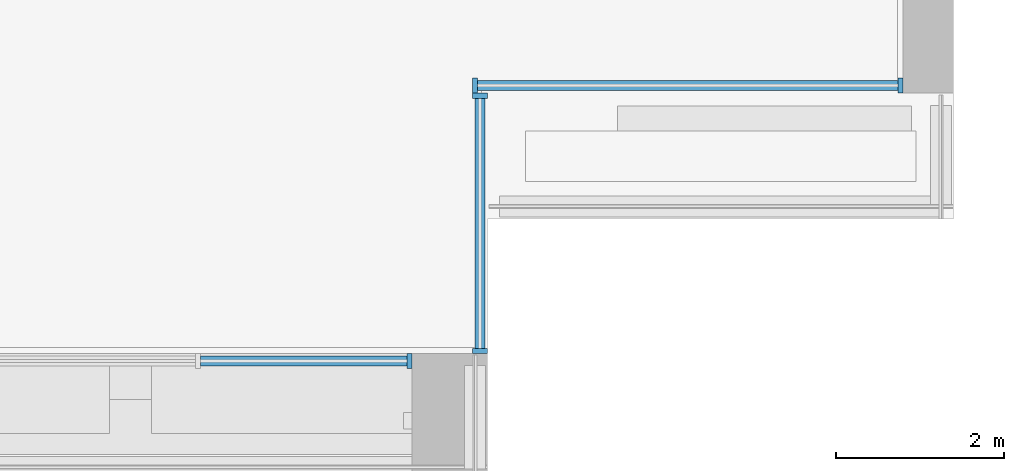
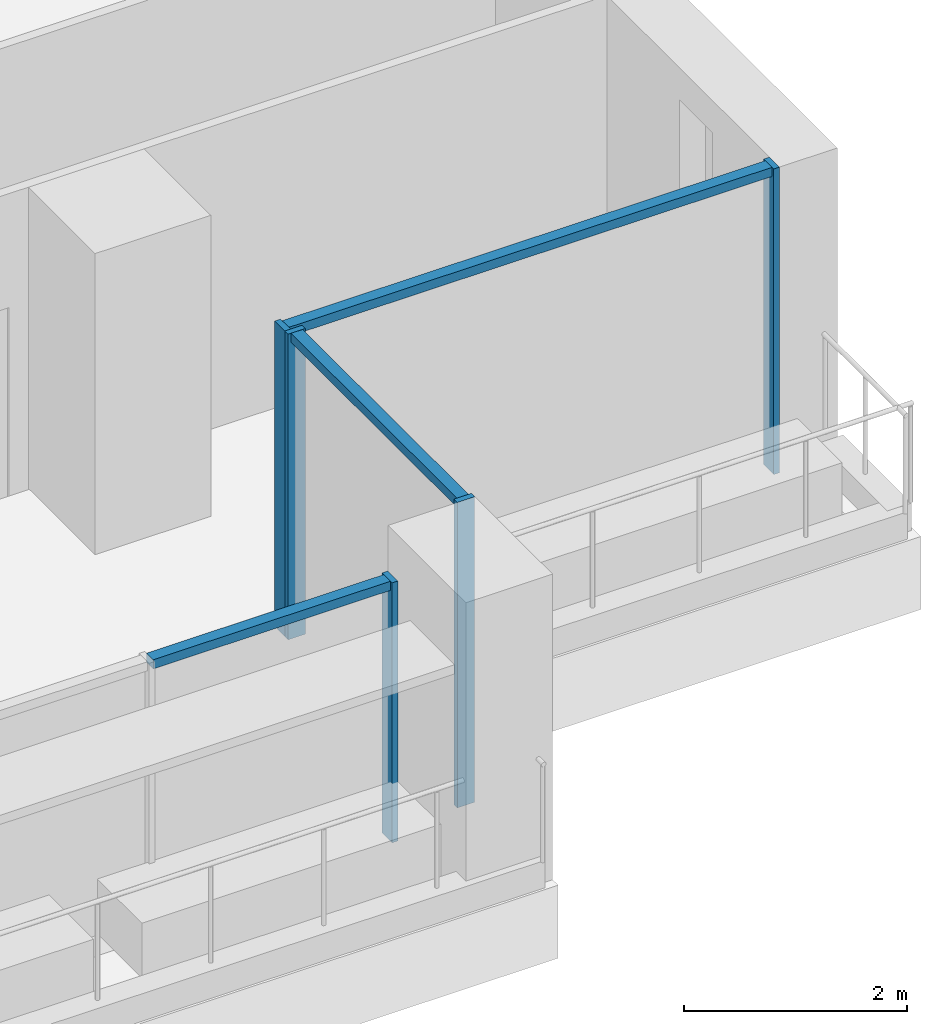
# One storey, part 5 of 19: 8 members, 3 elements without a shape of their own.
"""IFC4 building model written with IfcOpenShell, lengths in metres."""

from ifc_helpers import new_model, si_unit, direction, frame, origin, origin_2d, place, context, subcontext, project, spatial, rectangle, extrude, material, material_profile, profile_set, type_object, element, aggregate, save


model = new_model("IFC4")

# Units and contexts
model_context = context("Model", 3, precision=1e-05, world=origin(), true_north=direction((0.0, 1.0)))
body_context = subcontext(model_context, "Body", "Model", "MODEL_VIEW")
ifc_project = project(units=[si_unit("LENGTHUNIT", "METRE"), si_unit("AREAUNIT", "SQUARE_METRE"), si_unit("VOLUMEUNIT", "CUBIC_METRE"), si_unit("PLANEANGLEUNIT", "RADIAN"), si_unit("MASSUNIT", "GRAM", prefix="KILO")], contexts=[model_context])

# Site, building, storey
site_placement = place(None, origin())
site = spatial("IfcSite", under=ifc_project, at=site_placement, CompositionType="ELEMENT")
building_placement = place(site_placement, origin())
building = spatial("IfcBuilding", under=site, at=building_placement, Name="Calvaro Tower", CompositionType="ELEMENT")
storey_placement = place(building_placement, frame((0.0, 0.0, 166.75)))
storey = spatial("IfcBuildingStorey", under=building, at=storey_placement, Name="L41", CompositionType="ELEMENT", Elevation=166.75)

# Curtain wall, member
ifc_material_1 = material(Name="Anodised aluminium", Category="aluminium")
curtain_wall_type = type_object("IfcCurtainWallType", Name="Office curtain wall, upper zone", PredefinedType="NOTDEFINED", material=ifc_material_1)
curtain_wall_1_placement = place(storey_placement, origin())
curtain_wall_1 = element("IfcCurtainWall", 1, at=curtain_wall_1_placement, inside=storey, type_object=curtain_wall_type, Name="CW3 south curtain wall", PredefinedType="NOTDEFINED")
ifc_material_2 = material(Name="Anodised aluminium", Category="aluminium")
ifc_material_profile_1 = material_profile(ifc_material_2, rectangle(XDim=0.179931640625, YDim=0.06005859375, at=origin_2d()), Name="Mullion S3 60 x 180")
ifc_profile_set_1 = profile_set([ifc_material_profile_1], Name="Anodised aluminium")
member_type_1 = type_object("IfcMemberType", Name="Mullion S3 60 x 180", PredefinedType="MULLION", material=ifc_profile_set_1)
member_1_placement = place(storey_placement, frame((65.52001953125, 4.31005859375, 0.0), z_axis=(0.0, 0.0, 1.0), x_axis=(0.0, 1.0, 0.0)))
member_1 = element("IfcMember", 2, at=member_1_placement, type_object=member_type_1, Name="CW3 mullion 3", PredefinedType="MULLION", context=body_context, shape_type="SweptSolid", body=[
    extrude(rectangle(XDim=0.179931640625, YDim=0.06005859375, at=origin_2d()), origin(), (0.0, 0.0, 1.0), 2.85009765625),
])

# Curtain wall, members
curtain_wall_2_placement = place(storey_placement, origin())
curtain_wall_2 = element("IfcCurtainWall", 3, at=curtain_wall_2_placement, inside=storey, type_object=curtain_wall_type, Name="CW3 corner curtain wall", PredefinedType="NOTDEFINED")
member_2_placement = place(storey_placement, frame((66.360107421875, 4.429931640625, 0.0), z_axis=(0.0, 0.0, 1.0), x_axis=(-1.0, 0.0, 0.0)))
member_2 = element("IfcMember", 4, at=member_2_placement, type_object=member_type_1, Name="CW3 mullion 1", PredefinedType="MULLION", context=body_context, shape_type="SweptSolid", body=[
    extrude(rectangle(XDim=0.179931640625, YDim=0.06005859375, at=origin_2d()), origin(), (0.0, 0.0, 1.0), 3.35009765625),
])
member_3_placement = place(storey_placement, frame((66.360107421875, 7.469970703125, 0.0), z_axis=(0.0, 0.0, 1.0), x_axis=(-1.0, 0.0, 0.0)))
member_3 = element("IfcMember", 5, at=member_3_placement, type_object=member_type_1, Name="CW3 mullion 2", PredefinedType="MULLION", context=body_context, shape_type="SweptSolid", body=[
    extrude(rectangle(XDim=0.179931640625, YDim=0.06005859375, at=origin_2d()), origin(), (0.0, 0.0, 1.0), 3.35009765625),
])

curtain_wall_3_placement = place(storey_placement, origin())
curtain_wall_3 = element("IfcCurtainWall", 6, at=curtain_wall_3_placement, inside=storey, type_object=curtain_wall_type, Name="CW3 corner curtain wall", PredefinedType="NOTDEFINED")
member_4_placement = place(storey_placement, frame((66.300048828125, 7.590087890625, 0.0), z_axis=(0.0, 0.0, 1.0), x_axis=(0.0, 1.0, 0.0)))
member_4 = element("IfcMember", 7, at=member_4_placement, type_object=member_type_1, Name="CW3 mullion 1", PredefinedType="MULLION", context=body_context, shape_type="SweptSolid", body=[
    extrude(rectangle(XDim=0.179931640625, YDim=0.06005859375, at=origin_2d()), origin(), (0.0, 0.0, 1.0), 3.35009765625),
])
member_5_placement = place(storey_placement, frame((71.3701171875, 7.590087890625, 0.0), z_axis=(0.0, 0.0, 1.0), x_axis=(0.0, 1.0, 0.0)))
member_5 = element("IfcMember", 8, at=member_5_placement, type_object=member_type_1, Name="CW3 mullion 2", PredefinedType="MULLION", context=body_context, shape_type="SweptSolid", body=[
    extrude(rectangle(XDim=0.179931640625, YDim=0.06005859375, at=origin_2d()), origin(), (0.0, 0.0, 1.0), 3.35009765625),
])

# Member
ifc_material_3 = material(Name="Anodised aluminium", Category="aluminium")
ifc_material_profile_2 = material_profile(ifc_material_3, rectangle(XDim=0.1201171875, YDim=0.10009765625, at=origin_2d()), Name="Transom S3 100 x 120")
ifc_profile_set_2 = profile_set([ifc_material_profile_2], Name="Anodised aluminium")
member_type_2 = type_object("IfcMemberType", Name="Transom S3 100 x 120", PredefinedType="USERDEFINED", material=ifc_profile_set_2)
member_6_placement = place(storey_placement, frame((63.030029296875, 4.31005859375, 2.800048828125), z_axis=(1.0, 0.0, 0.0), x_axis=(0.0, 1.0, 0.0)))
member_6 = element("IfcMember", 9, at=member_6_placement, type_object=member_type_2, Name="CW3 transom 2.1", ObjectType="TRANSOM", PredefinedType="USERDEFINED", context=body_context, shape_type="SweptSolid", body=[
    extrude(rectangle(XDim=0.1201171875, YDim=0.10009765625, at=origin_2d()), origin(), (0.0, 0.0, 1.0), 2.4599609375),
])

aggregate(curtain_wall_1, [member_1, member_6])

member_7_placement = place(storey_placement, frame((66.360107421875, 4.4599609375, 3.300048828125), z_axis=(0.0, 1.0, 0.0), x_axis=(-1.0, 0.0, 0.0)))
member_7 = element("IfcMember", 10, at=member_7_placement, type_object=member_type_2, Name="CW3 transom 1.1", ObjectType="TRANSOM", PredefinedType="USERDEFINED", context=body_context, shape_type="SweptSolid", body=[
    extrude(rectangle(XDim=0.1201171875, YDim=0.10009765625, at=origin_2d()), origin(), (0.0, 0.0, 1.0), 2.97998046875),
])

aggregate(curtain_wall_2, [member_2, member_3, member_7])

member_8_placement = place(storey_placement, frame((66.330078125, 7.590087890625, 3.300048828125), z_axis=(1.0, 0.0, 0.0), x_axis=(0.0, 1.0, 0.0)))
member_8 = element("IfcMember", 11, at=member_8_placement, type_object=member_type_2, Name="CW3 transom 1.1", ObjectType="TRANSOM", PredefinedType="USERDEFINED", context=body_context, shape_type="SweptSolid", body=[
    extrude(rectangle(XDim=0.1201171875, YDim=0.10009765625, at=origin_2d()), origin(), (0.0, 0.0, 1.0), 5.010009765625),
])

aggregate(curtain_wall_3, [member_4, member_5, member_8])

save(model, "model.ifc")
